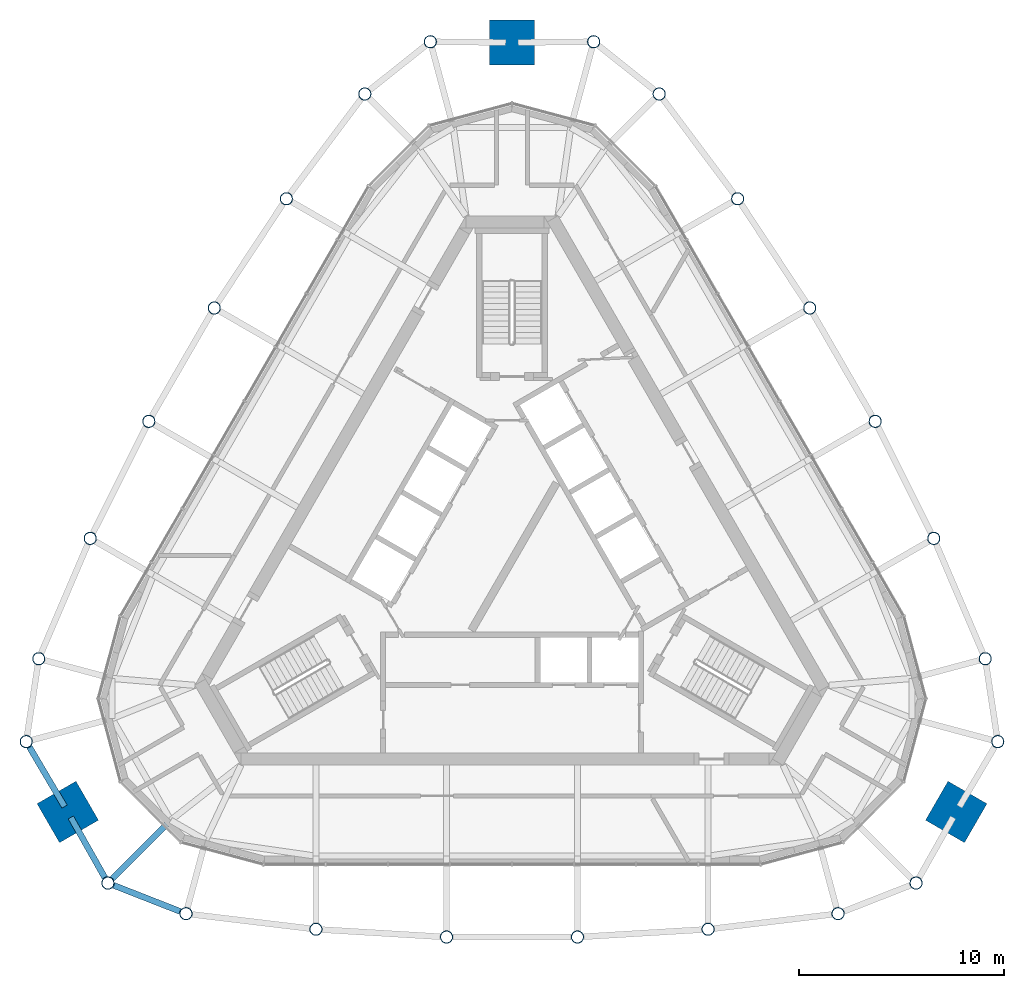
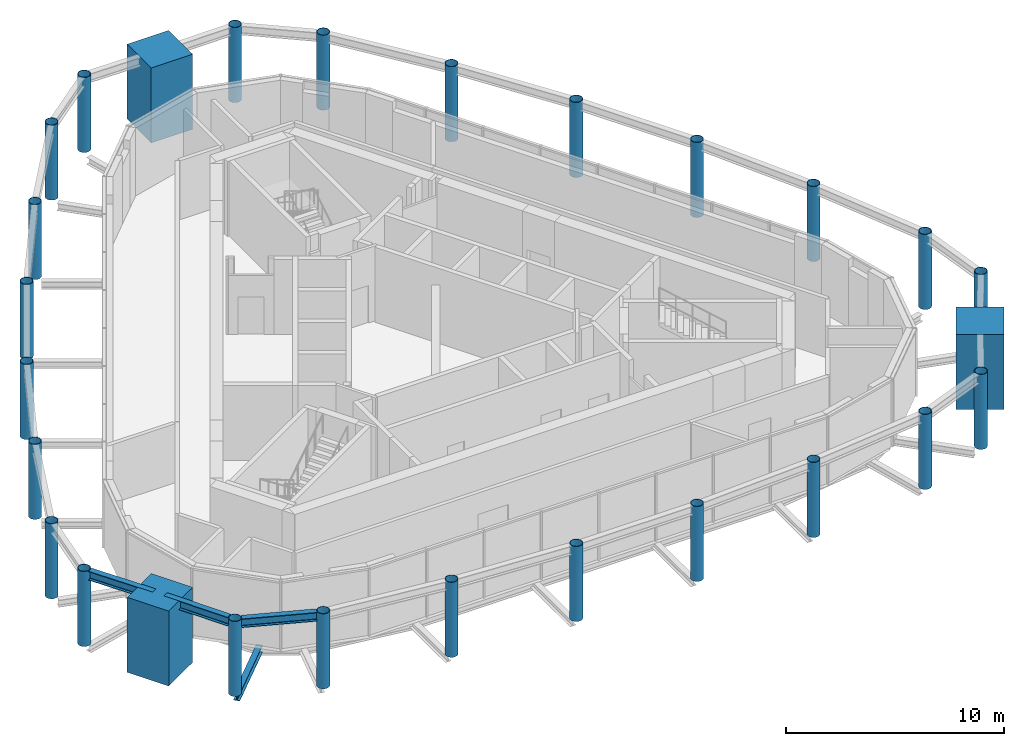
# One storey, part 1 of 11: 27 columns, 4 beams.
"""IFC4 building model written with IfcOpenShell, lengths in metres."""

from ifc_helpers import new_model, si_unit, direction, frame, origin, origin_2d, place, context, subcontext, project, spatial, rectangle, hollow_circle, i_section, extrude, material, material_profile, profile_set, type_object, element, save


model = new_model("IFC4")

# Units and contexts
model_context = context("Model", 3, precision=1e-05, world=origin(), true_north=direction((0.0, 1.0)))
body_context = subcontext(model_context, "Body", "Model", "MODEL_VIEW")
ifc_project = project(units=[si_unit("LENGTHUNIT", "METRE"), si_unit("AREAUNIT", "SQUARE_METRE"), si_unit("VOLUMEUNIT", "CUBIC_METRE"), si_unit("PLANEANGLEUNIT", "RADIAN"), si_unit("MASSUNIT", "GRAM", prefix="KILO")], contexts=[model_context])

# Site, building, storey
site_placement = place(None, origin())
site = spatial("IfcSite", under=ifc_project, at=site_placement, CompositionType="ELEMENT")
building_placement = place(site_placement, origin())
building = spatial("IfcBuilding", under=site, at=building_placement, Name="Mestral Congress Tower", CompositionType="ELEMENT")
storey_placement = place(building_placement, frame((0.0, 0.0, 344.39990234375)))
storey = spatial("IfcBuildingStorey", under=building, at=storey_placement, Name="L80", CompositionType="ELEMENT", Elevation=344.39990234375)

# Columns
ifc_material_1 = material(Name="Steel S355", Category="steel")
ifc_material_profile_1 = material_profile(ifc_material_1, hollow_circle(Radius=0.304931640625, WallThickness=0.02490234375, at=origin_2d()), Name="CHS 610x25")
ifc_profile_set_1 = profile_set([ifc_material_profile_1], Name="Steel S355")
column_type_1 = type_object("IfcColumnType", Name="Colonnade column CHS 610x25 S355", PredefinedType="COLUMN", material=ifc_profile_set_1)
for number, where, z_axis, x_axis, name in (
    (1, (-15.940673828125, -17.511962890625, 0.0), (0.0, 0.0, 1.0), (1.0, 0.0, 0.0), "COL-L80-K-C5-S00"),
    (2, (-9.587158203125, -18.273681640625, 0.0), (0.0, 0.0, 1.0), (1.0, 0.0, 0.0), "COL-L80-K-C5-S01"),
    (3, (-3.199462890625, -18.6552734375, 0.0), (0.0, 0.0, 1.0), (1.0, 0.0, 0.0), "COL-L80-K-C5-S02"),
    (4, (3.199462890625, -18.6552734375, 0.0), (0.0, 0.0, 1.0), (1.0, 0.0, 0.0), "COL-L80-K-C5-S03"),
    (5, (9.587158203125, -18.273681640625, 0.0), (0.0, 0.0, 1.0), (1.0, 0.0, 0.0), "COL-L80-K-C5-S04"),
    (6, (15.940673828125, -17.511962890625, 0.0), (0.0, 0.0, 1.0), (1.0, 0.0, 0.0), "COL-L80-K-C5-S05"),
    (7, (19.75439453125, -16.0166015625, 0.0), (0.0, 0.0, 1.0), (1.0, 0.0, 0.0), "COL-L80-K-C5-SE1"),
    (8, (23.748046875, -9.099609375, 0.0), (0.0, 0.0, 1.0), (1.0, 0.0, 0.0), "COL-L80-K-C5-SE3"),
    (9, (23.135986328125, -5.049072265625, 0.0), (0.0, 0.0, 1.0), (1.0, 0.0, 0.0), "COL-L80-K-C5-E00"),
    (10, (20.618896484375, 0.833984375, 0.0), (0.0, 0.0, 1.0), (1.0, 0.0, 0.0), "COL-L80-K-C5-E01"),
    (11, (17.755615234375, 6.556640625, 0.0), (0.0, 0.0, 1.0), (1.0, 0.0, 0.0), "COL-L80-K-C5-E02"),
    (12, (14.55615234375, 12.098388671875, 0.0), (0.0, 0.0, 1.0), (1.0, 0.0, 0.0), "COL-L80-K-C5-E03"),
    (13, (11.031982421875, 17.439697265625, 0.0), (0.0, 0.0, 1.0), (1.0, 0.0, 0.0), "COL-L80-K-C5-E04"),
    (14, (7.1953125, 22.56103515625, 0.0), (0.0, 0.0, 1.0), (1.0, 0.0, 0.0), "COL-L80-K-C5-E05"),
    (15, (3.993408203125, 25.1162109375, 0.0), (0.0, 0.0, 1.0), (1.0, 0.0, 0.0), "COL-L80-K-C5-N1"),
    (16, (-3.993408203125, 25.1162109375, 0.0), (0.0, 0.0, 1.0), (1.0, 0.0, 0.0), "COL-L80-K-C5-N3"),
    (17, (-7.1953125, 22.56103515625, 0.0), (0.0, 0.0, 1.0), (1.0, 0.0, 0.0), "COL-L80-K-C5-W00"),
    (18, (-11.031982421875, 17.439697265625, 0.0), (0.0, 0.0, 1.0), (1.0, 0.0, 0.0), "COL-L80-K-C5-W01"),
    (19, (-14.55615234375, 12.098388671875, 0.0), (0.0, 0.0, 1.0), (1.0, 0.0, 0.0), "COL-L80-K-C5-W02"),
    (20, (-17.755615234375, 6.556640625, 0.0), (0.0, 0.0, 1.0), (1.0, 0.0, 0.0), "COL-L80-K-C5-W03"),
    (21, (-20.618896484375, 0.833984375, 0.0), (0.0, 0.0, 1.0), (1.0, 0.0, 0.0), "COL-L80-K-C5-W04"),
    (22, (-23.135986328125, -5.049072265625, 0.0), (0.0, 0.0, 1.0), (1.0, 0.0, 0.0), "COL-L80-K-C5-W05"),
    (23, (-23.748046875, -9.099609375, 0.0), (0.0, 0.0, 1.0), (1.0, 0.0, 0.0), "COL-L80-K-C5-SW1"),
    (24, (-19.75439453125, -16.0166015625, 0.0), (0.0, 0.0, 1.0), (1.0, 0.0, 0.0), "COL-L80-K-C5-SW3"),
):
    element("IfcColumn", number, at=place(storey_placement, frame(where, z_axis=z_axis, x_axis=x_axis)), inside=storey, type_object=column_type_1, Name=name, PredefinedType="COLUMN", context=body_context, shape_type="SweptSolid", body=[
        extrude(hollow_circle(Radius=0.304931640625, WallThickness=0.02490234375, at=origin_2d()), origin(), (0.0, 0.0, 1.0), 4.2001953125),
    ])
ifc_material_2 = material(Name="Concrete C60/75", Category="concrete")
ifc_material_profile_2 = material_profile(ifc_material_2, rectangle(XDim=2.199951171875, YDim=2.199951171875, at=origin_2d()), Name="RC 2200x2200")
ifc_profile_set_2 = profile_set([ifc_material_profile_2], Name="Concrete C60/75")
column_type_2 = type_object("IfcColumnType", Name="Mega column RC 2200x2200 C60/75", PredefinedType="COLUMN", material=ifc_profile_set_2)
for number, where, z_axis, x_axis, name in (
    (25, (21.71826171875, -12.5390625, 0.0), (0.0, 0.0, 1.0), (0.866025403784, -0.5, 0.0), "COL-L80-PY5-SE"),
    (26, (0.0, 25.078125, 0.0), (0.0, 0.0, 1.0), (0.0, 1.0, 0.0), "COL-L80-PY5-N"),
    (27, (-21.71826171875, -12.5390625, 0.0), (0.0, 0.0, 1.0), (-0.866025403784, -0.5, 0.0), "COL-L80-PY5-SW"),
):
    element("IfcColumn", number, at=place(storey_placement, frame(where, z_axis=z_axis, x_axis=x_axis)), inside=storey, type_object=column_type_2, Name=name, PredefinedType="COLUMN", context=body_context, shape_type="SweptSolid", body=[
        extrude(rectangle(XDim=2.199951171875, YDim=2.199951171875, at=origin_2d()), origin(), (0.0, 0.0, 1.0), 4.2001953125),
    ])

# Beams
ifc_material_profile_3 = material_profile(ifc_material_1, i_section(OverallWidth=0.300048828125, OverallDepth=0.39990234375, WebThickness=0.013427734375, FlangeThickness=0.02392578125, FilletRadius=0.027099609375, at=origin_2d()), Name="HEB 400")
ifc_profile_set_3 = profile_set([ifc_material_profile_3], Name="Steel S355")
beam_type_1 = type_object("IfcBeamType", Name="Floor beam HEB 400 S355", PredefinedType="BEAM", material=ifc_profile_set_3)
beam_1_placement = place(storey_placement, frame((-19.538818359375, -15.80078125, -0.449951171875), z_axis=(0.707137007821, 0.70707655326, 0.0), x_axis=(-0.70707655326, 0.707137007821, 0.0)))
element("IfcBeam", 28, at=beam_1_placement, inside=storey, type_object=beam_type_1, Name="BM-L80-KT-C5-SW3", PredefinedType="BEAM", context=body_context, shape_type="SweptSolid", body=[
    extrude(i_section(OverallWidth=0.300048828125, OverallDepth=0.39990234375, WebThickness=0.013427734375, FlangeThickness=0.02392578125, FilletRadius=0.027099609375, at=origin_2d()), origin(), (0.0, 0.0, 1.0), 4.038330078125),
])
ifc_material_profile_4 = material_profile(ifc_material_1, i_section(OverallWidth=0.300048828125, OverallDepth=0.5, WebThickness=0.014404296875, FlangeThickness=0.028076171875, FilletRadius=0.027099609375, at=origin_2d()), Name="HEB 500")
ifc_profile_set_4 = profile_set([ifc_material_profile_4], Name="Steel S355")
beam_type_2 = type_object("IfcBeamType", Name="Floor beam HEB 500 S355", PredefinedType="BEAM", material=ifc_profile_set_4)
beam_2_placement = place(storey_placement, frame((-23.593017578125, -9.3623046875, 3.9501953125), z_axis=(0.508243057153, -0.861213675493, 0.0), x_axis=(0.861213675493, 0.508243057153, 0.0)))
element("IfcBeam", 29, at=beam_2_placement, inside=storey, type_object=beam_type_2, Name="BM-L80-KRIM24", PredefinedType="BEAM", context=body_context, shape_type="SweptSolid", body=[
    extrude(i_section(OverallWidth=0.300048828125, OverallDepth=0.5, WebThickness=0.014404296875, FlangeThickness=0.028076171875, FilletRadius=0.027099609375, at=origin_2d()), origin(), (0.0, 0.0, 1.0), 3.3837890625),
])
beam_3_placement = place(storey_placement, frame((-21.568115234375, -12.8046875, 3.9501953125), z_axis=(0.491726741214, -0.870749569035, 0.0), x_axis=(0.870749569035, 0.491726741214, 0.0)))
element("IfcBeam", 30, at=beam_3_placement, inside=storey, type_object=beam_type_2, Name="BM-L80-KRIM25", PredefinedType="BEAM", context=body_context, shape_type="SweptSolid", body=[
    extrude(i_section(OverallWidth=0.300048828125, OverallDepth=0.5, WebThickness=0.014404296875, FlangeThickness=0.028076171875, FilletRadius=0.027099609375, at=origin_2d()), origin(), (0.0, 0.0, 1.0), 3.383544921875),
])
beam_4_placement = place(storey_placement, frame((-19.470458984375, -16.1279296875, 3.9501953125), z_axis=(0.930990464673, -0.36504349698, 0.0), x_axis=(0.36504349698, 0.930990464673, 0.0)))
element("IfcBeam", 31, at=beam_4_placement, inside=storey, type_object=beam_type_2, Name="BM-L80-KRIM26", PredefinedType="BEAM", context=body_context, shape_type="SweptSolid", body=[
    extrude(i_section(OverallWidth=0.300048828125, OverallDepth=0.5, WebThickness=0.014404296875, FlangeThickness=0.028076171875, FilletRadius=0.027099609375, at=origin_2d()), origin(), (0.0, 0.0, 1.0), 3.486328125),
])

save(model, "model.ifc")
